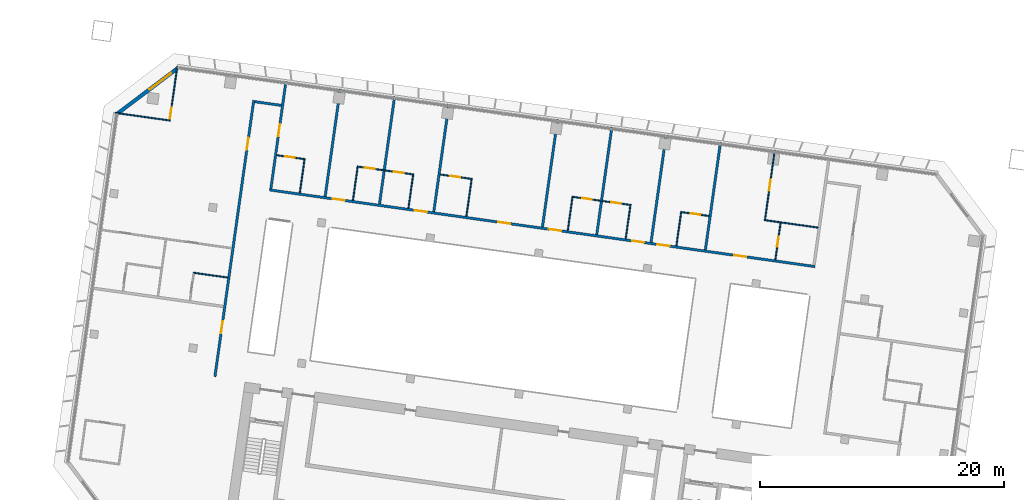
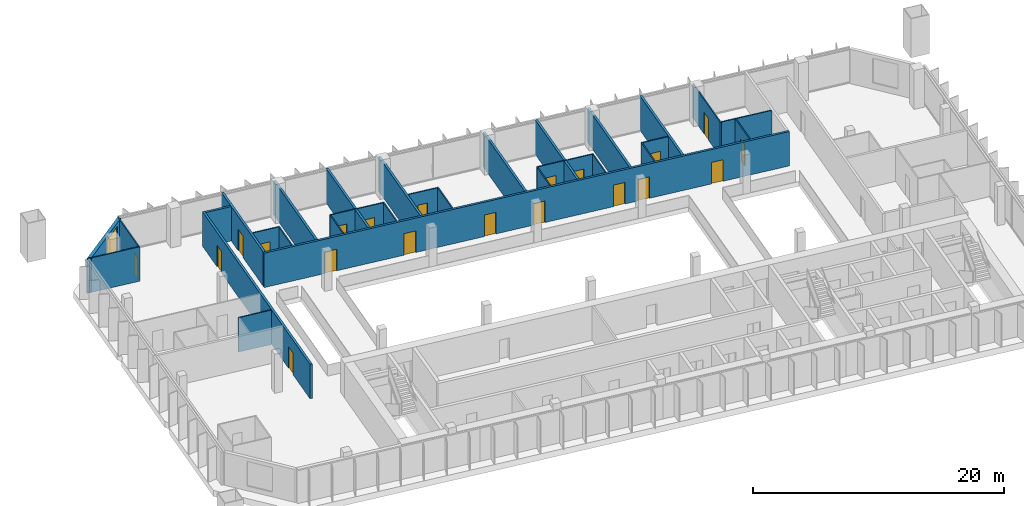
# One storey, part 16 of 25: 30 walls, 20 doors, 1 window, 21 openings.
"""IFC4 building model written with IfcOpenShell, lengths in metres."""

from ifc_helpers import new_model, si_unit, direction, frame, frame_2d, origin, place, context, subcontext, project, spatial, rectangle, extrude, material, layer, layer_set, type_object, element, fill, save


model = new_model("IFC4")

# Units and contexts
model_context = context("Model", 3, precision=1e-05, world=origin(), true_north=direction((0.0, 1.0)))
body_context = subcontext(model_context, "Body", "Model", "MODEL_VIEW")
ifc_project = project(units=[si_unit("LENGTHUNIT", "METRE"), si_unit("AREAUNIT", "SQUARE_METRE"), si_unit("VOLUMEUNIT", "CUBIC_METRE"), si_unit("PLANEANGLEUNIT", "RADIAN"), si_unit("MASSUNIT", "GRAM", prefix="KILO")], contexts=[model_context])

# Site, building, storey
site_placement = place(None, origin())
site = spatial("IfcSite", under=ifc_project, at=site_placement, CompositionType="ELEMENT")
building_placement = place(site_placement, origin())
building = spatial("IfcBuilding", under=site, at=building_placement, Name="Mirante Cascada Hotel Towers", CompositionType="ELEMENT")
storey_placement = place(building_placement, frame((0.0, 0.0, 136.7)))
storey = spatial("IfcBuildingStorey", under=building, at=storey_placement, Name="L31", CompositionType="ELEMENT", Elevation=136.7)

# Wall, openings, doors
ifc_material_1 = material(Name="Fire-rated plasterboard on metal studs")
ifc_layer_1 = layer(ifc_material_1, 0.2)
ifc_layer_set_1 = layer_set([ifc_layer_1], Name="Compartment wall 200 EI 120")
wall_type_1 = type_object("IfcWallType", Name="Compartment wall 200 EI 120", PredefinedType="PARTITIONING", material=ifc_layer_set_1)
wall_1_placement = place(storey_placement, frame((-41.8779, 9.7676, 0.0), z_axis=(0.0, 0.0, 1.0), x_axis=(-0.9902681, 0.1391726, 0.0)))
wall_1 = element("IfcWall", 1, at=wall_1_placement, inside=storey, type_object=wall_type_1, Name="Wall 1-L31-12", PredefinedType="PARTITIONING", context=body_context, shape_type="SweptSolid", body=[
    extrude(rectangle(XDim=45.2, YDim=0.2, at=frame_2d((22.6, 0.0))), origin(), (0.0, 0.0, 1.0), 3.35),
])
opening_1_placement = place(wall_1_placement, frame((5.7, 0.0, 0.0)))
opening_1 = element("IfcOpeningElement", 2, at=opening_1_placement, cuts=wall_1, Name="Opening D1-L31-04", PredefinedType="OPENING", context=body_context, shape_type="SweptSolid", body=[
    extrude(rectangle(XDim=1.0, YDim=2.1, at=frame_2d((0.5, 1.05))), frame((0.0, 0.1, 0.0), z_axis=(0.0, -1.0, 0.0), x_axis=(1.0, 0.0, 0.0)), (0.0, 0.0, 1.0), 0.2),
])
opening_2_placement = place(wall_1_placement, frame((12.05, 0.0, 0.0)))
opening_2 = element("IfcOpeningElement", 3, at=opening_2_placement, cuts=wall_1, Name="Opening D1-L31-05", PredefinedType="OPENING", context=body_context, shape_type="SweptSolid", body=[
    extrude(rectangle(XDim=1.0, YDim=2.1, at=frame_2d((0.5, 1.05))), frame((0.0, 0.1, 0.0), z_axis=(0.0, -1.0, 0.0), x_axis=(1.0, 0.0, 0.0)), (0.0, 0.0, 1.0), 0.2),
])
opening_3_placement = place(wall_1_placement, frame((14.15, 0.0, 0.0)))
opening_3 = element("IfcOpeningElement", 4, at=opening_3_placement, cuts=wall_1, Name="Opening D1-L31-06", PredefinedType="OPENING", context=body_context, shape_type="SweptSolid", body=[
    extrude(rectangle(XDim=1.0, YDim=2.1, at=frame_2d((0.5, 1.05))), frame((0.0, 0.1, 0.0), z_axis=(0.0, -1.0, 0.0), x_axis=(1.0, 0.0, 0.0)), (0.0, 0.0, 1.0), 0.2),
])
opening_4_placement = place(wall_1_placement, frame((21.05, 0.0, 0.0)))
opening_4 = element("IfcOpeningElement", 5, at=opening_4_placement, cuts=wall_1, Name="Opening D1-L31-07", PredefinedType="OPENING", context=body_context, shape_type="SweptSolid", body=[
    extrude(rectangle(XDim=1.0, YDim=2.1, at=frame_2d((0.5, 1.05))), frame((0.0, 0.1, 0.0), z_axis=(0.0, -1.0, 0.0), x_axis=(1.0, 0.0, 0.0)), (0.0, 0.0, 1.0), 0.2),
])
opening_5_placement = place(wall_1_placement, frame((25.25, 0.0, 0.0)))
opening_5 = element("IfcOpeningElement", 6, at=opening_5_placement, cuts=wall_1, Name="Opening D1-L31-08", PredefinedType="OPENING", context=body_context, shape_type="SweptSolid", body=[
    extrude(rectangle(XDim=1.0, YDim=2.1, at=frame_2d((0.5, 1.05))), frame((0.0, 0.1, 0.0), z_axis=(0.0, -1.0, 0.0), x_axis=(1.0, 0.0, 0.0)), (0.0, 0.0, 1.0), 0.2),
])
opening_6_placement = place(wall_1_placement, frame((32.15, 0.0, 0.0)))
opening_6 = element("IfcOpeningElement", 7, at=opening_6_placement, cuts=wall_1, Name="Opening D1-L31-09", PredefinedType="OPENING", context=body_context, shape_type="SweptSolid", body=[
    extrude(rectangle(XDim=1.0, YDim=2.1, at=frame_2d((0.5, 1.05))), frame((0.0, 0.1, 0.0), z_axis=(0.0, -1.0, 0.0), x_axis=(1.0, 0.0, 0.0)), (0.0, 0.0, 1.0), 0.2),
])
opening_7_placement = place(wall_1_placement, frame((38.95, 0.0, 0.0)))
opening_7 = element("IfcOpeningElement", 8, at=opening_7_placement, cuts=wall_1, Name="Opening D1-L31-10", PredefinedType="OPENING", context=body_context, shape_type="SweptSolid", body=[
    extrude(rectangle(XDim=1.0, YDim=2.1, at=frame_2d((0.5, 1.05))), frame((0.0, 0.1, 0.0), z_axis=(0.0, -1.0, 0.0), x_axis=(1.0, 0.0, 0.0)), (0.0, 0.0, 1.0), 0.2),
])
ifc_material_2 = material(Name="Fire-rated timber door leaf", Category="wood")
door_type_1 = type_object("IfcDoorType", Name="Entrance door DG1 1000x2100 EI 60", OperationType="SINGLE_SWING_LEFT", PredefinedType="DOOR", material=ifc_material_2)
door_1_placement = place(opening_1_placement, frame((1.0, 0.0, 0.0), z_axis=(0.0, 0.0, 1.0), x_axis=(-1.0, 0.0, 0.0)))
door_1 = element("IfcDoor", 9, at=door_1_placement, inside=storey, type_object=door_type_1, Name="Door D1-L31-04", OperationType="SINGLE_SWING_RIGHT", OverallHeight=2.1, OverallWidth=1.0, PredefinedType="DOOR", context=body_context, shape_type="SweptSolid", body=[
    extrude(rectangle(XDim=1.0, YDim=2.1, at=frame_2d((0.5, 1.05))), frame((0.0, 0.025, 0.0), z_axis=(0.0, -1.0, 0.0), x_axis=(1.0, 0.0, 0.0)), (0.0, 0.0, 1.0), 0.05),
])
fill(opening_1, door_1)
door_2_placement = place(opening_2_placement, frame((1.0, 0.0, 0.0), z_axis=(0.0, 0.0, 1.0), x_axis=(-1.0, 0.0, 0.0)))
door_2 = element("IfcDoor", 10, at=door_2_placement, inside=storey, type_object=door_type_1, Name="Door D1-L31-05", OperationType="SINGLE_SWING_RIGHT", OverallHeight=2.1, OverallWidth=1.0, PredefinedType="DOOR", context=body_context, shape_type="SweptSolid", body=[
    extrude(rectangle(XDim=1.0, YDim=2.1, at=frame_2d((0.5, 1.05))), frame((0.0, 0.025, 0.0), z_axis=(0.0, -1.0, 0.0), x_axis=(1.0, 0.0, 0.0)), (0.0, 0.0, 1.0), 0.05),
])
fill(opening_2, door_2)
door_3_placement = place(opening_3_placement, frame((1.0, 0.0, 0.0), z_axis=(0.0, 0.0, 1.0), x_axis=(-1.0, 0.0, 0.0)))
door_3 = element("IfcDoor", 11, at=door_3_placement, inside=storey, type_object=door_type_1, Name="Door D1-L31-06", OperationType="SINGLE_SWING_RIGHT", OverallHeight=2.1, OverallWidth=1.0, PredefinedType="DOOR", context=body_context, shape_type="SweptSolid", body=[
    extrude(rectangle(XDim=1.0, YDim=2.1, at=frame_2d((0.5, 1.05))), frame((0.0, 0.025, 0.0), z_axis=(0.0, -1.0, 0.0), x_axis=(1.0, 0.0, 0.0)), (0.0, 0.0, 1.0), 0.05),
])
fill(opening_3, door_3)
door_4_placement = place(opening_4_placement, frame((1.0, 0.0, 0.0), z_axis=(0.0, 0.0, 1.0), x_axis=(-1.0, 0.0, 0.0)))
door_4 = element("IfcDoor", 12, at=door_4_placement, inside=storey, type_object=door_type_1, Name="Door D1-L31-07", OperationType="SINGLE_SWING_RIGHT", OverallHeight=2.1, OverallWidth=1.0, PredefinedType="DOOR", context=body_context, shape_type="SweptSolid", body=[
    extrude(rectangle(XDim=1.0, YDim=2.1, at=frame_2d((0.5, 1.05))), frame((0.0, 0.025, 0.0), z_axis=(0.0, -1.0, 0.0), x_axis=(1.0, 0.0, 0.0)), (0.0, 0.0, 1.0), 0.05),
])
fill(opening_4, door_4)
door_5_placement = place(opening_5_placement, frame((1.0, 0.0, 0.0), z_axis=(0.0, 0.0, 1.0), x_axis=(-1.0, 0.0, 0.0)))
door_5 = element("IfcDoor", 13, at=door_5_placement, inside=storey, type_object=door_type_1, Name="Door D1-L31-08", OperationType="SINGLE_SWING_RIGHT", OverallHeight=2.1, OverallWidth=1.0, PredefinedType="DOOR", context=body_context, shape_type="SweptSolid", body=[
    extrude(rectangle(XDim=1.0, YDim=2.1, at=frame_2d((0.5, 1.05))), frame((0.0, 0.025, 0.0), z_axis=(0.0, -1.0, 0.0), x_axis=(1.0, 0.0, 0.0)), (0.0, 0.0, 1.0), 0.05),
])
fill(opening_5, door_5)
door_6_placement = place(opening_6_placement, frame((1.0, 0.0, 0.0), z_axis=(0.0, 0.0, 1.0), x_axis=(-1.0, 0.0, 0.0)))
door_6 = element("IfcDoor", 14, at=door_6_placement, inside=storey, type_object=door_type_1, Name="Door D1-L31-09", OperationType="SINGLE_SWING_RIGHT", OverallHeight=2.1, OverallWidth=1.0, PredefinedType="DOOR", context=body_context, shape_type="SweptSolid", body=[
    extrude(rectangle(XDim=1.0, YDim=2.1, at=frame_2d((0.5, 1.05))), frame((0.0, 0.025, 0.0), z_axis=(0.0, -1.0, 0.0), x_axis=(1.0, 0.0, 0.0)), (0.0, 0.0, 1.0), 0.05),
])
fill(opening_6, door_6)
door_7_placement = place(opening_7_placement, frame((1.0, 0.0, 0.0), z_axis=(0.0, 0.0, 1.0), x_axis=(-1.0, 0.0, 0.0)))
door_7 = element("IfcDoor", 15, at=door_7_placement, inside=storey, type_object=door_type_1, Name="Door D1-L31-10", OperationType="SINGLE_SWING_RIGHT", OverallHeight=2.1, OverallWidth=1.0, PredefinedType="DOOR", context=body_context, shape_type="SweptSolid", body=[
    extrude(rectangle(XDim=1.0, YDim=2.1, at=frame_2d((0.5, 1.05))), frame((0.0, 0.025, 0.0), z_axis=(0.0, -1.0, 0.0), x_axis=(1.0, 0.0, 0.0)), (0.0, 0.0, 1.0), 0.05),
])
fill(opening_7, door_7)

# Walls
wall_2_placement = place(storey_placement, frame((-87.8424, 23.2963, 0.0), z_axis=(0.0, 0.0, 1.0), x_axis=(0.990267, -0.139181, 0.0)))
element("IfcWall", 16, at=wall_2_placement, inside=storey, type_object=wall_type_1, Name="Wall 1-L31-21", PredefinedType="PARTITIONING", context=body_context, shape_type="SweptSolid", body=[
    extrude(rectangle(XDim=2.2, YDim=0.2, at=frame_2d((1.1, 0.0))), origin(), (0.0, 0.0, 1.0), 3.35),
])
for number, where, z_axis, x_axis, name in (
    (17, (-49.6367, 19.9465, 0.0), (0.0, 0.0, 1.0), (-0.1391794, -0.9902672, 0.0), "Wall 1-L31-31"),
    (18, (-54.0929, 20.5728, 0.0), (0.0, 0.0, 1.0), (-0.1391794, -0.9902672, 0.0), "Wall 1-L31-33"),
):
    element("IfcWall", number, at=place(storey_placement, frame(where, z_axis=z_axis, x_axis=x_axis)), inside=storey, type_object=wall_type_1, Name=name, PredefinedType="PARTITIONING", context=body_context, shape_type="SweptSolid", body=[
        extrude(rectangle(XDim=8.9, YDim=0.2, at=frame_2d((4.45, 0.0))), origin(), (0.0, 0.0, 1.0), 3.35),
    ])
wall_3_placement = place(storey_placement, frame((-58.5492, 21.199, 0.0), z_axis=(0.0, 0.0, 1.0), x_axis=(-0.13917, -0.9902685, 0.0)))
element("IfcWall", 19, at=wall_3_placement, inside=storey, type_object=wall_type_1, Name="Wall 1-L31-35", PredefinedType="PARTITIONING", context=body_context, shape_type="SweptSolid", body=[
    extrude(rectangle(XDim=8.8999, YDim=0.2, at=frame_2d((4.45, 0.0))), origin(), (0.0, 0.0, 1.0), 3.35),
])
for number, where, z_axis, x_axis, name in (
    (20, (-63.0054, 21.8253, 0.0), (0.0, 0.0, 1.0), (-0.1391684, -0.9902687, 0.0), "Wall 1-L31-37"),
    (21, (-71.9178, 23.0779, 0.0), (0.0, 0.0, 1.0), (-0.1391684, -0.9902687, 0.0), "Wall 1-L31-39"),
    (22, (-76.374, 23.7042, 0.0), (0.0, 0.0, 1.0), (-0.1391684, -0.9902687, 0.0), "Wall 1-L31-41"),
):
    element("IfcWall", number, at=place(storey_placement, frame(where, z_axis=z_axis, x_axis=x_axis)), inside=storey, type_object=wall_type_1, Name=name, PredefinedType="PARTITIONING", context=body_context, shape_type="SweptSolid", body=[
        extrude(rectangle(XDim=8.9, YDim=0.2, at=frame_2d((4.45, 0.0))), origin(), (0.0, 0.0, 1.0), 3.35),
    ])
wall_4_placement = place(storey_placement, frame((-80.8302, 24.3304, 0.0), z_axis=(0.0, 0.0, 1.0), x_axis=(-0.13917, -0.9902685, 0.0)))
element("IfcWall", 23, at=wall_4_placement, inside=storey, type_object=wall_type_1, Name="Wall 1-L31-43", PredefinedType="PARTITIONING", context=body_context, shape_type="SweptSolid", body=[
    extrude(rectangle(XDim=8.8999, YDim=0.2, at=frame_2d((4.45, 0.0))), origin(), (0.0, 0.0, 1.0), 3.35),
])

# Wall, opening, door
wall_5_placement = place(storey_placement, frame((-85.2864, 24.9567, 0.0), z_axis=(0.0, 0.0, 1.0), x_axis=(-0.1391684, -0.9902687, 0.0)))
wall_5 = element("IfcWall", 24, at=wall_5_placement, inside=storey, type_object=wall_type_1, Name="Wall 1-L31-45", PredefinedType="PARTITIONING", context=body_context, shape_type="SweptSolid", body=[
    extrude(rectangle(XDim=8.9, YDim=0.2, at=frame_2d((4.45, 0.0))), origin(), (0.0, 0.0, 1.0), 3.35),
])
opening_8_placement = place(wall_5_placement, frame((3.55, 0.0, 0.0)))
opening_8 = element("IfcOpeningElement", 25, at=opening_8_placement, cuts=wall_5, Name="Opening D1-L31-26", PredefinedType="OPENING", context=body_context, shape_type="SweptSolid", body=[
    extrude(rectangle(XDim=1.0, YDim=2.1, at=frame_2d((0.5, 1.05))), frame((0.0, 0.1, 0.0), z_axis=(0.0, -1.0, 0.0), x_axis=(1.0, 0.0, 0.0)), (0.0, 0.0, 1.0), 0.2),
])
door_8_placement = place(opening_8_placement, origin())
door_8 = element("IfcDoor", 26, at=door_8_placement, inside=storey, type_object=door_type_1, Name="Door D1-L31-26", OperationType="SINGLE_SWING_LEFT", OverallHeight=2.1, OverallWidth=1.0, PredefinedType="DOOR", context=body_context, shape_type="SweptSolid", body=[
    extrude(rectangle(XDim=1.0, YDim=2.1, at=frame_2d((0.5, 1.05))), frame((0.0, 0.025, 0.0), z_axis=(0.0, -1.0, 0.0), x_axis=(1.0, 0.0, 0.0)), (0.0, 0.0, 1.0), 0.05),
])
fill(opening_8, door_8)

# Wall, openings, doors
wall_6_placement = place(storey_placement, frame((-91.1145, 0.7321, 0.0), z_axis=(0.0, 0.0, 1.0), x_axis=(0.1391706, 0.9902684, 0.0)))
wall_6 = element("IfcWall", 27, at=wall_6_placement, inside=storey, type_object=wall_type_1, Name="Wall 1-L31-46", PredefinedType="PARTITIONING", context=body_context, shape_type="SweptSolid", body=[
    extrude(rectangle(XDim=22.9, YDim=0.2, at=frame_2d((11.45, 0.0))), origin(), (0.0, 0.0, 1.0), 3.35),
])
opening_9_placement = place(wall_6_placement, frame((3.6, 0.0, 0.0)))
opening_9 = element("IfcOpeningElement", 28, at=opening_9_placement, cuts=wall_6, Name="Opening D1-L31-27", PredefinedType="OPENING", context=body_context, shape_type="SweptSolid", body=[
    extrude(rectangle(XDim=1.0, YDim=2.1, at=frame_2d((0.5, 1.05))), frame((0.0, 0.1, 0.0), z_axis=(0.0, -1.0, 0.0), x_axis=(1.0, 0.0, 0.0)), (0.0, 0.0, 1.0), 0.2),
])
opening_10_placement = place(wall_6_placement, frame((18.8, 0.0, 0.0)))
opening_10 = element("IfcOpeningElement", 29, at=opening_10_placement, cuts=wall_6, Name="Opening D1-L31-28", PredefinedType="OPENING", context=body_context, shape_type="SweptSolid", body=[
    extrude(rectangle(XDim=1.0, YDim=2.1, at=frame_2d((0.5, 1.05))), frame((0.0, 0.1, 0.0), z_axis=(0.0, -1.0, 0.0), x_axis=(1.0, 0.0, 0.0)), (0.0, 0.0, 1.0), 0.2),
])
door_9_placement = place(opening_9_placement, origin())
door_9 = element("IfcDoor", 30, at=door_9_placement, inside=storey, type_object=door_type_1, Name="Door D1-L31-27", OperationType="SINGLE_SWING_LEFT", OverallHeight=2.1, OverallWidth=1.0, PredefinedType="DOOR", context=body_context, shape_type="SweptSolid", body=[
    extrude(rectangle(XDim=1.0, YDim=2.1, at=frame_2d((0.5, 1.05))), frame((0.0, 0.025, 0.0), z_axis=(0.0, -1.0, 0.0), x_axis=(1.0, 0.0, 0.0)), (0.0, 0.0, 1.0), 0.05),
])
fill(opening_9, door_9)
door_10_placement = place(opening_10_placement, origin())
door_10 = element("IfcDoor", 31, at=door_10_placement, inside=storey, type_object=door_type_1, Name="Door D1-L31-28", OperationType="SINGLE_SWING_LEFT", OverallHeight=2.1, OverallWidth=1.0, PredefinedType="DOOR", context=body_context, shape_type="SweptSolid", body=[
    extrude(rectangle(XDim=1.0, YDim=2.1, at=frame_2d((0.5, 1.05))), frame((0.0, 0.025, 0.0), z_axis=(0.0, -1.0, 0.0), x_axis=(1.0, 0.0, 0.0)), (0.0, 0.0, 1.0), 0.05),
])
fill(opening_10, door_10)

# Wall
ifc_material_3 = material(Name="Plasterboard on metal studs")
ifc_layer_2 = layer(ifc_material_3, 0.1)
ifc_layer_set_2 = layer_set([ifc_layer_2], Name="Partition 100")
wall_type_2 = type_object("IfcWallType", Name="Partition 100", PredefinedType="PARTITIONING", material=ifc_layer_set_2)
wall_7_placement = place(storey_placement, frame((-92.8946, 9.2628, 0.0), z_axis=(0.0, 0.0, 1.0), x_axis=(0.9902704, -0.1391564, 0.0)))
element("IfcWall", 32, at=wall_7_placement, inside=storey, type_object=wall_type_2, Name="Wall 1-L31-07", PredefinedType="PARTITIONING", context=body_context, shape_type="SweptSolid", body=[
    extrude(rectangle(XDim=2.85, YDim=0.1, at=frame_2d((1.425, 0.0))), origin(), (0.0, 0.0, 1.0), 3.35),
])

# Wall, opening, door
wall_8_placement = place(storey_placement, frame((-52.8128, 14.2329, 0.0), z_axis=(0.0, 0.0, 1.0), x_axis=(0.9902705, -0.1391561, 0.0)))
wall_8 = element("IfcWall", 33, at=wall_8_placement, inside=storey, type_object=wall_type_2, Name="Wall 1-L31-13", PredefinedType="PARTITIONING", context=body_context, shape_type="SweptSolid", body=[
    extrude(rectangle(XDim=2.25, YDim=0.1, at=frame_2d((1.125, 0.0))), origin(), (0.0, 0.0, 1.0), 3.35),
])
opening_11_placement = place(wall_8_placement, frame((0.75, 0.0, 0.0)))
opening_11 = element("IfcOpeningElement", 34, at=opening_11_placement, cuts=wall_8, Name="Opening D1-L31-11", PredefinedType="OPENING", context=body_context, shape_type="SweptSolid", body=[
    extrude(rectangle(XDim=0.8, YDim=2.1, at=frame_2d((0.4, 1.05))), frame((0.0, 0.05, 0.0), z_axis=(0.0, -1.0, 0.0), x_axis=(1.0, 0.0, 0.0)), (0.0, 0.0, 1.0), 0.1),
])
ifc_material_4 = material(Name="Timber door leaf", Category="wood")
door_type_2 = type_object("IfcDoorType", Name="Bathroom door DG4 800x2100", OperationType="SINGLE_SWING_LEFT", PredefinedType="DOOR", material=ifc_material_4)
door_11_placement = place(opening_11_placement, origin())
door_11 = element("IfcDoor", 35, at=door_11_placement, inside=storey, type_object=door_type_2, Name="Door D1-L31-11", OperationType="SINGLE_SWING_LEFT", OverallHeight=2.1, OverallWidth=0.8, PredefinedType="DOOR", context=body_context, shape_type="SweptSolid", body=[
    extrude(rectangle(XDim=0.8, YDim=2.1, at=frame_2d((0.4, 1.05))), frame((0.0, 0.025, 0.0), z_axis=(0.0, -1.0, 0.0), x_axis=(1.0, 0.0, 0.0)), (0.0, 0.0, 1.0), 0.05),
])
fill(opening_11, door_11)

# Wall, openings, doors
wall_9_placement = place(storey_placement, frame((-56.972, 14.8174, 0.0), z_axis=(0.0, 0.0, 1.0), x_axis=(-0.9902666, 0.1391838, 0.0)))
wall_9 = element("IfcWall", 36, at=wall_9_placement, inside=storey, type_object=wall_type_2, Name="Wall 1-L31-14", PredefinedType="PARTITIONING", context=body_context, shape_type="SweptSolid", body=[
    extrude(rectangle(XDim=4.9, YDim=0.1, at=frame_2d((2.45, 0.0))), origin(), (0.0, 0.0, 1.0), 3.35),
])
opening_12_placement = place(wall_9_placement, frame((0.85, 0.0, 0.0)))
opening_12 = element("IfcOpeningElement", 37, at=opening_12_placement, cuts=wall_9, Name="Opening D1-L31-12", PredefinedType="OPENING", context=body_context, shape_type="SweptSolid", body=[
    extrude(rectangle(XDim=0.8, YDim=2.1, at=frame_2d((0.4, 1.05))), frame((0.0, 0.05, 0.0), z_axis=(0.0, -1.0, 0.0), x_axis=(1.0, 0.0, 0.0)), (0.0, 0.0, 1.0), 0.1),
])
opening_13_placement = place(wall_9_placement, frame((3.25, 0.0, 0.0)))
opening_13 = element("IfcOpeningElement", 38, at=opening_13_placement, cuts=wall_9, Name="Opening D1-L31-13", PredefinedType="OPENING", context=body_context, shape_type="SweptSolid", body=[
    extrude(rectangle(XDim=0.8, YDim=2.1, at=frame_2d((0.4, 1.05))), frame((0.0, 0.05, 0.0), z_axis=(0.0, -1.0, 0.0), x_axis=(1.0, 0.0, 0.0)), (0.0, 0.0, 1.0), 0.1),
])
door_12_placement = place(opening_12_placement, frame((0.8, 0.0, 0.0), z_axis=(0.0, 0.0, 1.0), x_axis=(-1.0, 0.0, 0.0)))
door_12 = element("IfcDoor", 39, at=door_12_placement, inside=storey, type_object=door_type_2, Name="Door D1-L31-12", OperationType="SINGLE_SWING_RIGHT", OverallHeight=2.1, OverallWidth=0.8, PredefinedType="DOOR", context=body_context, shape_type="SweptSolid", body=[
    extrude(rectangle(XDim=0.8, YDim=2.1, at=frame_2d((0.4, 1.05))), frame((0.0, 0.025, 0.0), z_axis=(0.0, -1.0, 0.0), x_axis=(1.0, 0.0, 0.0)), (0.0, 0.0, 1.0), 0.05),
])
fill(opening_12, door_12)
door_13_placement = place(opening_13_placement, frame((0.8, 0.0, 0.0), z_axis=(0.0, 0.0, 1.0), x_axis=(-1.0, 0.0, 0.0)))
door_13 = element("IfcDoor", 40, at=door_13_placement, inside=storey, type_object=door_type_2, Name="Door D1-L31-13", OperationType="SINGLE_SWING_RIGHT", OverallHeight=2.1, OverallWidth=0.8, PredefinedType="DOOR", context=body_context, shape_type="SweptSolid", body=[
    extrude(rectangle(XDim=0.8, YDim=2.1, at=frame_2d((0.4, 1.05))), frame((0.0, 0.025, 0.0), z_axis=(0.0, -1.0, 0.0), x_axis=(1.0, 0.0, 0.0)), (0.0, 0.0, 1.0), 0.05),
])
fill(opening_13, door_13)

wall_10_placement = place(storey_placement, frame((-79.451, 17.9767, 0.0), z_axis=(0.0, 0.0, 1.0), x_axis=(0.9902682, -0.139172, 0.0)))
wall_10 = element("IfcWall", 41, at=wall_10_placement, inside=storey, type_object=wall_type_2, Name="Wall 1-L31-15", PredefinedType="PARTITIONING", context=body_context, shape_type="SweptSolid", body=[
    extrude(rectangle(XDim=4.6999, YDim=0.1, at=frame_2d((2.35, 0.0))), origin(), (0.0, 0.0, 1.0), 3.35),
])
opening_14_placement = place(wall_10_placement, frame((3.05, 0.0, 0.0)))
opening_14 = element("IfcOpeningElement", 42, at=opening_14_placement, cuts=wall_10, Name="Opening D1-L31-14", PredefinedType="OPENING", context=body_context, shape_type="SweptSolid", body=[
    extrude(rectangle(XDim=0.8, YDim=2.1, at=frame_2d((0.4, 1.05))), frame((0.0, 0.05, 0.0), z_axis=(0.0, -1.0, 0.0), x_axis=(1.0, 0.0, 0.0)), (0.0, 0.0, 1.0), 0.1),
])
opening_15_placement = place(wall_10_placement, frame((0.65, 0.0, 0.0)))
opening_15 = element("IfcOpeningElement", 43, at=opening_15_placement, cuts=wall_10, Name="Opening D1-L31-15", PredefinedType="OPENING", context=body_context, shape_type="SweptSolid", body=[
    extrude(rectangle(XDim=0.8, YDim=2.1, at=frame_2d((0.4, 1.05))), frame((0.0, 0.05, 0.0), z_axis=(0.0, -1.0, 0.0), x_axis=(1.0, 0.0, 0.0)), (0.0, 0.0, 1.0), 0.1),
])
door_14_placement = place(opening_14_placement, origin())
door_14 = element("IfcDoor", 44, at=door_14_placement, inside=storey, type_object=door_type_2, Name="Door D1-L31-14", OperationType="SINGLE_SWING_LEFT", OverallHeight=2.1, OverallWidth=0.8, PredefinedType="DOOR", context=body_context, shape_type="SweptSolid", body=[
    extrude(rectangle(XDim=0.8, YDim=2.1, at=frame_2d((0.4, 1.05))), frame((0.0, 0.025, 0.0), z_axis=(0.0, -1.0, 0.0), x_axis=(1.0, 0.0, 0.0)), (0.0, 0.0, 1.0), 0.05),
])
fill(opening_14, door_14)
door_15_placement = place(opening_15_placement, origin())
door_15 = element("IfcDoor", 45, at=door_15_placement, inside=storey, type_object=door_type_2, Name="Door D1-L31-15", OperationType="SINGLE_SWING_LEFT", OverallHeight=2.1, OverallWidth=0.8, PredefinedType="DOOR", context=body_context, shape_type="SweptSolid", body=[
    extrude(rectangle(XDim=0.8, YDim=2.1, at=frame_2d((0.4, 1.05))), frame((0.0, 0.025, 0.0), z_axis=(0.0, -1.0, 0.0), x_axis=(1.0, 0.0, 0.0)), (0.0, 0.0, 1.0), 0.05),
])
fill(opening_15, door_15)

# Wall, opening, door
wall_11_placement = place(storey_placement, frame((-83.8082, 18.589, 0.0), z_axis=(0.0, 0.0, 1.0), x_axis=(-0.9902643, 0.1391997, 0.0)))
wall_11 = element("IfcWall", 46, at=wall_11_placement, inside=storey, type_object=wall_type_2, Name="Wall 1-L31-16", PredefinedType="PARTITIONING", context=body_context, shape_type="SweptSolid", body=[
    extrude(rectangle(XDim=2.25, YDim=0.1, at=frame_2d((1.125, 0.0))), origin(), (0.0, 0.0, 1.0), 3.35),
])
opening_16_placement = place(wall_11_placement, frame((0.75, 0.0, 0.0)))
opening_16 = element("IfcOpeningElement", 47, at=opening_16_placement, cuts=wall_11, Name="Opening D1-L31-16", PredefinedType="OPENING", context=body_context, shape_type="SweptSolid", body=[
    extrude(rectangle(XDim=0.8, YDim=2.1, at=frame_2d((0.4, 1.05))), frame((0.0, 0.05, 0.0), z_axis=(0.0, -1.0, 0.0), x_axis=(1.0, 0.0, 0.0)), (0.0, 0.0, 1.0), 0.1),
])
door_16_placement = place(opening_16_placement, frame((0.8, 0.0, 0.0), z_axis=(0.0, 0.0, 1.0), x_axis=(-1.0, 0.0, 0.0)))
door_16 = element("IfcDoor", 48, at=door_16_placement, inside=storey, type_object=door_type_2, Name="Door D1-L31-16", OperationType="SINGLE_SWING_RIGHT", OverallHeight=2.1, OverallWidth=0.8, PredefinedType="DOOR", context=body_context, shape_type="SweptSolid", body=[
    extrude(rectangle(XDim=0.8, YDim=2.1, at=frame_2d((0.4, 1.05))), frame((0.0, 0.025, 0.0), z_axis=(0.0, -1.0, 0.0), x_axis=(1.0, 0.0, 0.0)), (0.0, 0.0, 1.0), 0.05),
])
fill(opening_16, door_16)

# Wall
wall_12_placement = place(storey_placement, frame((-45.9382, 13.5697, 0.0), z_axis=(0.0, 0.0, 1.0), x_axis=(0.9902679, -0.1391745, 0.0)))
element("IfcWall", 49, at=wall_12_placement, inside=storey, type_object=wall_type_2, Name="Wall 1-L31-17", PredefinedType="PARTITIONING", context=body_context, shape_type="SweptSolid", body=[
    extrude(rectangle(XDim=4.3499, YDim=0.1, at=frame_2d((2.175, 0.0))), origin(), (0.0, 0.0, 1.0), 3.35),
])

# Wall, opening, door
wall_13_placement = place(storey_placement, frame((-70.1008, 16.9655, 0.0), z_axis=(0.0, 0.0, 1.0), x_axis=(-0.9902677, 0.1391755, 0.0)))
wall_13 = element("IfcWall", 50, at=wall_13_placement, inside=storey, type_object=wall_type_2, Name="Wall 1-L31-18", PredefinedType="PARTITIONING", context=body_context, shape_type="SweptSolid", body=[
    extrude(rectangle(XDim=2.55, YDim=0.1, at=frame_2d((1.275, 0.0))), origin(), (0.0, 0.0, 1.0), 3.35),
])
opening_17_placement = place(wall_13_placement, frame((0.9, 0.0, 0.0)))
opening_17 = element("IfcOpeningElement", 51, at=opening_17_placement, cuts=wall_13, Name="Opening D1-L31-17", PredefinedType="OPENING", context=body_context, shape_type="SweptSolid", body=[
    extrude(rectangle(XDim=0.8, YDim=2.1, at=frame_2d((0.4, 1.05))), frame((0.0, 0.05, 0.0), z_axis=(0.0, -1.0, 0.0), x_axis=(1.0, 0.0, 0.0)), (0.0, 0.0, 1.0), 0.1),
])
door_17_placement = place(opening_17_placement, frame((0.8, 0.0, 0.0), z_axis=(0.0, 0.0, 1.0), x_axis=(-1.0, 0.0, 0.0)))
door_17 = element("IfcDoor", 52, at=door_17_placement, inside=storey, type_object=door_type_2, Name="Door D1-L31-17", OperationType="SINGLE_SWING_RIGHT", OverallHeight=2.1, OverallWidth=0.8, PredefinedType="DOOR", context=body_context, shape_type="SweptSolid", body=[
    extrude(rectangle(XDim=0.8, YDim=2.1, at=frame_2d((0.4, 1.05))), frame((0.0, 0.025, 0.0), z_axis=(0.0, -1.0, 0.0), x_axis=(1.0, 0.0, 0.0)), (0.0, 0.0, 1.0), 0.05),
])
fill(opening_17, door_17)

# Wall
wall_14_placement = place(storey_placement, frame((-99.2813, 22.3794, 0.0), z_axis=(0.0, 0.0, 1.0), x_axis=(0.9902661, -0.1391871, 0.0)))
element("IfcWall", 53, at=wall_14_placement, inside=storey, type_object=wall_type_2, Name="Wall 1-L31-19", PredefinedType="PARTITIONING", context=body_context, shape_type="SweptSolid", body=[
    extrude(rectangle(XDim=4.55, YDim=0.1, at=frame_2d((2.275, 0.0))), origin(), (0.0, 0.0, 1.0), 3.35),
])

# Wall, opening, door
wall_15_placement = place(storey_placement, frame((-44.7074, 13.3462, 0.0), z_axis=(0.0, 0.0, 1.0), x_axis=(-0.1391488, -0.9902715, 0.0)))
wall_15 = element("IfcWall", 54, at=wall_15_placement, inside=storey, type_object=wall_type_2, Name="Wall 1-L31-29", PredefinedType="PARTITIONING", context=body_context, shape_type="SweptSolid", body=[
    extrude(rectangle(XDim=3.05, YDim=0.1, at=frame_2d((1.525, 0.0))), origin(), (0.0, 0.0, 1.0), 3.35),
])
opening_18_placement = place(wall_15_placement, frame((1.15, 0.0, 0.0)))
opening_18 = element("IfcOpeningElement", 55, at=opening_18_placement, cuts=wall_15, Name="Opening D1-L31-24", PredefinedType="OPENING", context=body_context, shape_type="SweptSolid", body=[
    extrude(rectangle(XDim=0.8, YDim=2.1, at=frame_2d((0.4, 1.05))), frame((0.0, 0.05, 0.0), z_axis=(0.0, -1.0, 0.0), x_axis=(1.0, 0.0, 0.0)), (0.0, 0.0, 1.0), 0.1),
])
door_18_placement = place(opening_18_placement, frame((0.8, 0.0, 0.0), z_axis=(0.0, 0.0, 1.0), x_axis=(-1.0, 0.0, 0.0)))
door_18 = element("IfcDoor", 56, at=door_18_placement, inside=storey, type_object=door_type_2, Name="Door D1-L31-24", OperationType="SINGLE_SWING_RIGHT", OverallHeight=2.1, OverallWidth=0.8, PredefinedType="DOOR", context=body_context, shape_type="SweptSolid", body=[
    extrude(rectangle(XDim=0.8, YDim=2.1, at=frame_2d((0.4, 1.05))), frame((0.0, 0.025, 0.0), z_axis=(0.0, -1.0, 0.0), x_axis=(1.0, 0.0, 0.0)), (0.0, 0.0, 1.0), 0.05),
])
fill(opening_18, door_18)

wall_16_placement = place(storey_placement, frame((-45.9947, 13.5271, 0.0), z_axis=(0.0, 0.0, 1.0), x_axis=(0.1391786, 0.9902673, 0.0)))
wall_16 = element("IfcWall", 57, at=wall_16_placement, inside=storey, type_object=wall_type_2, Name="Wall 1-L31-30", PredefinedType="PARTITIONING", context=body_context, shape_type="SweptSolid", body=[
    extrude(rectangle(XDim=5.85, YDim=0.1, at=frame_2d((2.925, 0.0))), origin(), (0.0, 0.0, 1.0), 3.35),
])
opening_19_placement = place(wall_16_placement, frame((2.5, 0.0, 0.0)))
opening_19 = element("IfcOpeningElement", 58, at=opening_19_placement, cuts=wall_16, Name="Opening D1-L31-25", PredefinedType="OPENING", context=body_context, shape_type="SweptSolid", body=[
    extrude(rectangle(XDim=0.9, YDim=2.1, at=frame_2d((0.45, 1.05))), frame((0.0, 0.05, 0.0), z_axis=(0.0, -1.0, 0.0), x_axis=(1.0, 0.0, 0.0)), (0.0, 0.0, 1.0), 0.1),
])
ifc_material_5 = material(Name="Timber door leaf", Category="wood")
door_type_3 = type_object("IfcDoorType", Name="Room door DG3 900x2100", OperationType="SINGLE_SWING_LEFT", PredefinedType="DOOR", material=ifc_material_5)
door_19_placement = place(opening_19_placement, origin())
door_19 = element("IfcDoor", 59, at=door_19_placement, inside=storey, type_object=door_type_3, Name="Door D1-L31-25", OperationType="SINGLE_SWING_LEFT", OverallHeight=2.1, OverallWidth=0.9, PredefinedType="DOOR", context=body_context, shape_type="SweptSolid", body=[
    extrude(rectangle(XDim=0.9, YDim=2.1, at=frame_2d((0.45, 1.05))), frame((0.0, 0.025, 0.0), z_axis=(0.0, -1.0, 0.0), x_axis=(1.0, 0.0, 0.0)), (0.0, 0.0, 1.0), 0.05),
])
fill(opening_19, door_19)

# Walls
wall_17_placement = place(storey_placement, frame((-53.252, 11.4671, 0.0), z_axis=(0.0, 0.0, 1.0), x_axis=(0.1391564, 0.9902704, 0.0)))
element("IfcWall", 60, at=wall_17_placement, inside=storey, type_object=wall_type_2, Name="Wall 1-L31-32", PredefinedType="PARTITIONING", context=body_context, shape_type="SweptSolid", body=[
    extrude(rectangle(XDim=2.85, YDim=0.1, at=frame_2d((1.425, 0.0))), origin(), (0.0, 0.0, 1.0), 3.35),
])
wall_18_placement = place(storey_placement, frame((-57.4112, 12.0516, 0.0), z_axis=(0.0, 0.0, 1.0), x_axis=(0.1391963, 0.9902648, 0.0)))
element("IfcWall", 61, at=wall_18_placement, inside=storey, type_object=wall_type_2, Name="Wall 1-L31-34", PredefinedType="PARTITIONING", context=body_context, shape_type="SweptSolid", body=[
    extrude(rectangle(XDim=2.7501, YDim=0.1, at=frame_2d((1.3751, 0.0))), origin(), (0.0, 0.0, 1.0), 3.35),
])
wall_19_placement = place(storey_placement, frame((-62.1644, 12.7197, 0.0), z_axis=(0.0, 0.0, 1.0), x_axis=(0.1391657, 0.9902691, 0.0)))
element("IfcWall", 62, at=wall_19_placement, inside=storey, type_object=wall_type_2, Name="Wall 1-L31-36", PredefinedType="PARTITIONING", context=body_context, shape_type="SweptSolid", body=[
    extrude(rectangle(XDim=2.75, YDim=0.1, at=frame_2d((1.375, 0.0))), origin(), (0.0, 0.0, 1.0), 3.35),
])
wall_20_placement = place(storey_placement, frame((-70.4827, 13.8887, 0.0), z_axis=(0.0, 0.0, 1.0), x_axis=(0.1391721, 0.9902682, 0.0)))
element("IfcWall", 63, at=wall_20_placement, inside=storey, type_object=wall_type_2, Name="Wall 1-L31-38", PredefinedType="PARTITIONING", context=body_context, shape_type="SweptSolid", body=[
    extrude(rectangle(XDim=3.1501, YDim=0.1, at=frame_2d((1.575, 0.0))), origin(), (0.0, 0.0, 1.0), 3.35),
])
for number, where, z_axis, x_axis, name in (
    (64, (-75.236, 14.5568, 0.0), (0.0, 0.0, 1.0), (0.1391657, 0.9902691, 0.0), "Wall 1-L31-40"),
    (65, (-79.7912, 15.197, 0.0), (0.0, 0.0, 1.0), (0.1391657, 0.9902691, 0.0), "Wall 1-L31-42"),
):
    element("IfcWall", number, at=place(storey_placement, frame(where, z_axis=z_axis, x_axis=x_axis)), inside=storey, type_object=wall_type_2, Name=name, PredefinedType="PARTITIONING", context=body_context, shape_type="SweptSolid", body=[
        extrude(rectangle(XDim=2.75, YDim=0.1, at=frame_2d((1.375, 0.0))), origin(), (0.0, 0.0, 1.0), 3.35),
    ])
wall_21_placement = place(storey_placement, frame((-84.1484, 15.8093, 0.0), z_axis=(0.0, 0.0, 1.0), x_axis=(0.1391909, 0.9902656, 0.0)))
element("IfcWall", 66, at=wall_21_placement, inside=storey, type_object=wall_type_2, Name="Wall 1-L31-44", PredefinedType="PARTITIONING", context=body_context, shape_type="SweptSolid", body=[
    extrude(rectangle(XDim=2.85, YDim=0.1, at=frame_2d((1.425, 0.0))), origin(), (0.0, 0.0, 1.0), 3.35),
])

# Wall, opening, door
wall_22_placement = place(storey_placement, frame((-94.1988, 26.2093, 0.0), z_axis=(0.0, 0.0, 1.0), x_axis=(-0.1391684, -0.9902687, 0.0)))
wall_22 = element("IfcWall", 67, at=wall_22_placement, inside=storey, type_object=wall_type_2, Name="Wall 1-L31-49", PredefinedType="PARTITIONING", context=body_context, shape_type="SweptSolid", body=[
    extrude(rectangle(XDim=4.45, YDim=0.1, at=frame_2d((2.225, 0.0))), origin(), (0.0, 0.0, 1.0), 3.35),
])
opening_20_placement = place(wall_22_placement, frame((3.45, 0.0, 0.0)))
opening_20 = element("IfcOpeningElement", 68, at=opening_20_placement, cuts=wall_22, Name="Opening D1-L31-30", PredefinedType="OPENING", context=body_context, shape_type="SweptSolid", body=[
    extrude(rectangle(XDim=0.9, YDim=2.1, at=frame_2d((0.45, 1.05))), frame((0.0, 0.05, 0.0), z_axis=(0.0, -1.0, 0.0), x_axis=(1.0, 0.0, 0.0)), (0.0, 0.0, 1.0), 0.1),
])
door_20_placement = place(opening_20_placement, origin())
door_20 = element("IfcDoor", 69, at=door_20_placement, inside=storey, type_object=door_type_3, Name="Door D1-L31-30", OperationType="SINGLE_SWING_LEFT", OverallHeight=2.1, OverallWidth=0.9, PredefinedType="DOOR", context=body_context, shape_type="SweptSolid", body=[
    extrude(rectangle(XDim=0.9, YDim=2.1, at=frame_2d((0.45, 1.05))), frame((0.0, 0.025, 0.0), z_axis=(0.0, -1.0, 0.0), x_axis=(1.0, 0.0, 0.0)), (0.0, 0.0, 1.0), 0.05),
])
fill(opening_20, door_20)

# Wall, opening, window
ifc_material_6 = material(Name="Precast concrete C40/50", Category="concrete")
ifc_layer_3 = layer(ifc_material_6, 0.3)
ifc_layer_set_3 = layer_set([ifc_layer_3], Name="Precast concrete C40/50 cladding wall 300")
wall_type_3 = type_object("IfcWallType", Name="Precast concrete C40/50 cladding wall 300", PredefinedType="STANDARD", material=ifc_layer_set_3)
wall_23_placement = place(storey_placement, frame((-99.0919, 22.3343, 0.0), z_axis=(0.0, 0.0, 1.0), x_axis=(0.7986362, 0.6018141, 0.0)))
wall_23 = element("IfcWall", 70, at=wall_23_placement, inside=storey, type_object=wall_type_3, Name="Corner cladding wall T1 L31 outer front", PredefinedType="STANDARD", context=body_context, shape_type="SweptSolid", body=[
    extrude(rectangle(XDim=6.1157, YDim=0.3, at=frame_2d((3.0578, 0.0))), origin(), (0.0, 0.0, 1.0), 3.35),
])
opening_21_placement = place(wall_23_placement, frame((3.2692, 0.0, 0.6)))
opening_21 = element("IfcOpeningElement", 71, at=opening_21_placement, cuts=wall_23, Name="Opening W1-31-04", PredefinedType="OPENING", context=body_context, shape_type="SweptSolid", body=[
    extrude(rectangle(XDim=2.2, YDim=2.4, at=frame_2d((1.1, 1.2))), frame((0.0, 0.15, 0.0), z_axis=(0.0, -1.0, 0.0), x_axis=(1.0, 0.0, 0.0)), (0.0, 0.0, 1.0), 0.3),
])
ifc_material_7 = material(Name="Aluminium frame with clear double glazing", Category="aluminium")
window_type = type_object("IfcWindowType", Name="Corner suite window 2200x2400", PartitioningType="DOUBLE_PANEL_VERTICAL", PredefinedType="WINDOW", material=ifc_material_7)
window_placement = place(opening_21_placement, origin())
window = element("IfcWindow", 72, at=window_placement, inside=storey, type_object=window_type, Name="Window W1-31-04", OverallHeight=2.4, OverallWidth=2.2, PartitioningType="SINGLE_PANEL", PredefinedType="WINDOW", context=body_context, shape_type="SweptSolid", body=[
    extrude(rectangle(XDim=2.2, YDim=2.4, at=frame_2d((1.1, 1.2))), frame((0.0, 0.03, 0.0), z_axis=(0.0, -1.0, 0.0), x_axis=(1.0, 0.0, 0.0)), (0.0, 0.0, 1.0), 0.06),
])
fill(opening_21, window)

save(model, "model.ifc")
